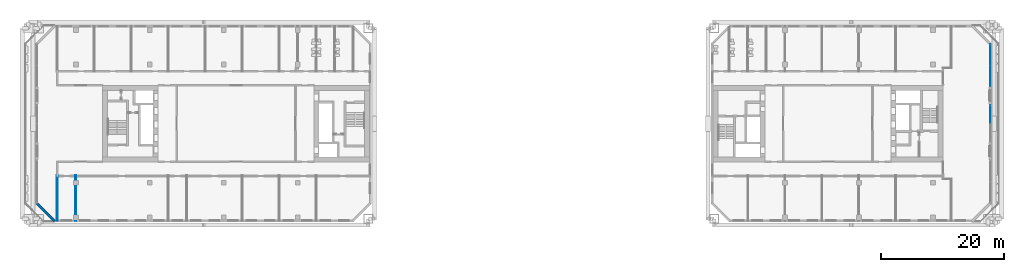
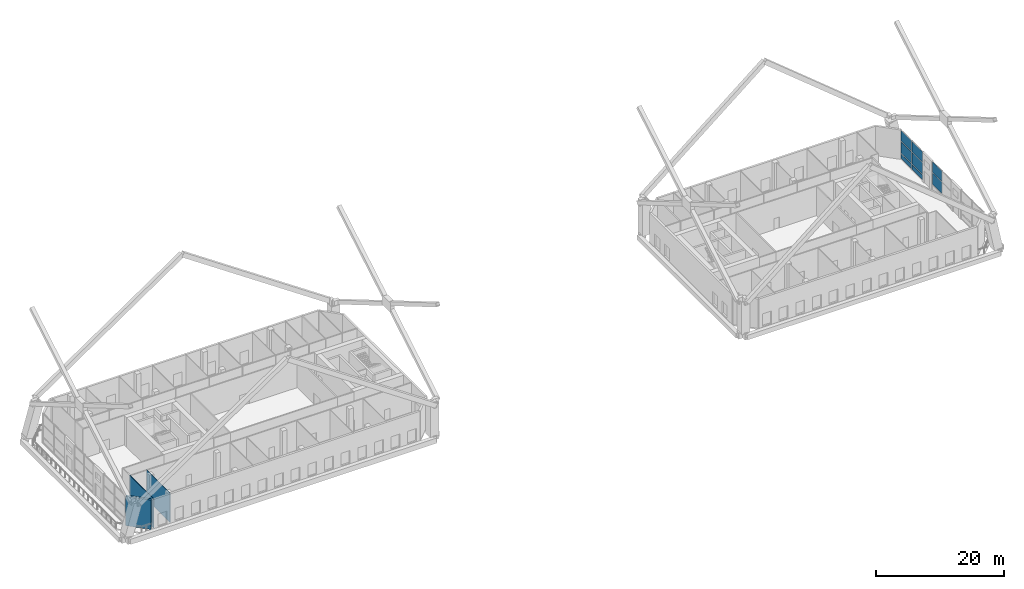
# One storey, part 8 of 20: 8 plates, 3 walls, 2 elements without a shape of their own.
"""IFC4 building model written with IfcOpenShell, lengths in metres."""

from ifc_helpers import new_model, si_unit, direction, frame, frame_2d, origin, origin_2d, place, context, subcontext, project, spatial, rectangle, extrude, material, layer, layer_set, type_object, element, aggregate, save


model = new_model("IFC4")

# Units and contexts
model_context = context("Model", 3, precision=1e-05, world=origin(), true_north=direction((0.0, 1.0)))
body_context = subcontext(model_context, "Body", "Model", "MODEL_VIEW")
ifc_project = project(units=[si_unit("LENGTHUNIT", "METRE"), si_unit("AREAUNIT", "SQUARE_METRE"), si_unit("VOLUMEUNIT", "CUBIC_METRE"), si_unit("PLANEANGLEUNIT", "RADIAN"), si_unit("MASSUNIT", "GRAM", prefix="KILO")], contexts=[model_context])

# Site, building, storey
site_placement = place(None, origin())
site = spatial("IfcSite", under=ifc_project, at=site_placement, CompositionType="ELEMENT")
building_placement = place(site_placement, origin())
building = spatial("IfcBuilding", under=site, at=building_placement, Name="Tuart Gate Housing", CompositionType="ELEMENT")
storey_placement = place(building_placement, frame((0.0, 0.0, 38.10009765625)))
storey = spatial("IfcBuildingStorey", under=building, at=storey_placement, Name="L10", CompositionType="ELEMENT", Elevation=38.10009765625)

# Curtain wall, plates
ifc_material_1 = material(Name="Aluminium and clear glass", Category="aluminium")
curtain_wall_type = type_object("IfcCurtainWallType", Name="Sky garden front glazing", PredefinedType="USERDEFINED", material=ifc_material_1)
curtain_wall_1_placement = place(storey_placement, origin())
curtain_wall_1 = element("IfcCurtainWall", 1, at=curtain_wall_1_placement, inside=storey, type_object=curtain_wall_type, Name="Sky garden front glazing B-E L10", ObjectType="SKY GARDEN FRONT GLAZING", PredefinedType="USERDEFINED")
ifc_material_2 = material(Name="Clear glass", Category="glass")
ifc_layer_1 = layer(ifc_material_2, 0.028076171875)
ifc_layer_set_1 = layer_set([ifc_layer_1], Name="Glazed panel 28")
plate_type = type_object("IfcPlateType", Name="Glazed panel 28", PredefinedType="CURTAIN_PANEL", material=ifc_layer_set_1)
plate_1_placement = place(storey_placement, frame((176.320068359375, 71.485107421875, 1.16015625), z_axis=(0.0, 0.0, 1.0), x_axis=(0.0, 1.0, 0.0)))
plate_1 = element("IfcPlate", 2, at=plate_1_placement, type_object=plate_type, Name="CW4 panel 2.2", PredefinedType="CURTAIN_PANEL", context=body_context, shape_type="SweptSolid", body=[
    extrude(rectangle(XDim=2.909912109375, YDim=0.028076171875, at=origin_2d()), origin(), (0.0, 0.0, 1.0), 2.179931640625),
])
plate_2_placement = place(storey_placement, frame((176.320068359375, 71.485107421875, 3.4599609375), z_axis=(0.0, 0.0, 1.0), x_axis=(0.0, 1.0, 0.0)))
plate_2 = element("IfcPlate", 3, at=plate_2_placement, type_object=plate_type, Name="CW4 panel 2.3", PredefinedType="CURTAIN_PANEL", context=body_context, shape_type="SweptSolid", body=[
    extrude(rectangle(XDim=2.909912109375, YDim=0.028076171875, at=origin_2d()), origin(), (0.0, 0.0, 1.0), 2.02001953125),
])
aggregate(curtain_wall_1, [plate_1, plate_2])

curtain_wall_2_placement = place(storey_placement, origin())
curtain_wall_2 = element("IfcCurtainWall", 4, at=curtain_wall_2_placement, inside=storey, type_object=curtain_wall_type, Name="Sky garden front glazing B-E L10", ObjectType="SKY GARDEN FRONT GLAZING", PredefinedType="USERDEFINED")
plate_3_placement = place(storey_placement, frame((176.320068359375, 77.746337890625, 0.119873046875), z_axis=(0.0, 0.0, 1.0), x_axis=(0.0, 1.0, 0.0)))
plate_3 = element("IfcPlate", 5, at=plate_3_placement, type_object=plate_type, Name="CW4 panel 1.1", PredefinedType="CURTAIN_PANEL", context=body_context, shape_type="SweptSolid", body=[
    extrude(rectangle(XDim=3.372802734375, YDim=0.028076171875, at=origin_2d()), origin(), (0.0, 0.0, 1.0), 0.919921875),
])
plate_4_placement = place(storey_placement, frame((176.320068359375, 77.746337890625, 1.16015625), z_axis=(0.0, 0.0, 1.0), x_axis=(0.0, 1.0, 0.0)))
plate_4 = element("IfcPlate", 6, at=plate_4_placement, type_object=plate_type, Name="CW4 panel 1.2", PredefinedType="CURTAIN_PANEL", context=body_context, shape_type="SweptSolid", body=[
    extrude(rectangle(XDim=3.372802734375, YDim=0.028076171875, at=origin_2d()), origin(), (0.0, 0.0, 1.0), 2.179931640625),
])
plate_5_placement = place(storey_placement, frame((176.320068359375, 77.746337890625, 3.4599609375), z_axis=(0.0, 0.0, 1.0), x_axis=(0.0, 1.0, 0.0)))
plate_5 = element("IfcPlate", 7, at=plate_5_placement, type_object=plate_type, Name="CW4 panel 1.3", PredefinedType="CURTAIN_PANEL", context=body_context, shape_type="SweptSolid", body=[
    extrude(rectangle(XDim=3.372802734375, YDim=0.028076171875, at=origin_2d()), origin(), (0.0, 0.0, 1.0), 2.02001953125),
])
plate_6_placement = place(storey_placement, frame((176.320068359375, 81.17919921875, 0.119873046875), z_axis=(0.0, 0.0, 1.0), x_axis=(0.0, 1.0, 0.0)))
plate_6 = element("IfcPlate", 8, at=plate_6_placement, type_object=plate_type, Name="CW4 panel 2.1", PredefinedType="CURTAIN_PANEL", context=body_context, shape_type="SweptSolid", body=[
    extrude(rectangle(XDim=3.372802734375, YDim=0.028076171875, at=origin_2d()), origin(), (0.0, 0.0, 1.0), 0.919921875),
])
plate_7_placement = place(storey_placement, frame((176.320068359375, 81.17919921875, 1.16015625), z_axis=(0.0, 0.0, 1.0), x_axis=(0.0, 1.0, 0.0)))
plate_7 = element("IfcPlate", 9, at=plate_7_placement, type_object=plate_type, Name="CW4 panel 2.2", PredefinedType="CURTAIN_PANEL", context=body_context, shape_type="SweptSolid", body=[
    extrude(rectangle(XDim=3.372802734375, YDim=0.028076171875, at=origin_2d()), origin(), (0.0, 0.0, 1.0), 2.179931640625),
])
plate_8_placement = place(storey_placement, frame((176.320068359375, 81.17919921875, 3.4599609375), z_axis=(0.0, 0.0, 1.0), x_axis=(0.0, 1.0, 0.0)))
plate_8 = element("IfcPlate", 10, at=plate_8_placement, type_object=plate_type, Name="CW4 panel 2.3", PredefinedType="CURTAIN_PANEL", context=body_context, shape_type="SweptSolid", body=[
    extrude(rectangle(XDim=3.372802734375, YDim=0.028076171875, at=origin_2d()), origin(), (0.0, 0.0, 1.0), 2.02001953125),
])
aggregate(curtain_wall_2, [plate_3, plate_4, plate_5, plate_6, plate_7, plate_8])

# Walls
ifc_material_3 = material(Name="Brick", Category="masonry")
ifc_layer_2 = layer(ifc_material_3, 0.360107421875)
ifc_layer_set_2 = layer_set([ifc_layer_2], Name="Brick pier and spandrel wall 360")
wall_type_1 = type_object("IfcWallType", Name="Brick pier and spandrel wall 360", PredefinedType="STANDARD", material=ifc_layer_set_2)
wall_placement = place(storey_placement, frame((21.679931640625, 57.07470703125, 0.0), z_axis=(0.0, 0.0, 1.0), x_axis=(0.707106781187, -0.707106781187, 0.0)))
element("IfcWall", 11, at=wall_placement, inside=storey, type_object=wall_type_1, Name="External wall A-SW L10", PredefinedType="STANDARD", context=body_context, shape_type="SweptSolid", body=[
    extrude(rectangle(XDim=4.09375, YDim=0.360107421875, at=frame_2d((2.046875, 0.0))), origin(), (0.0, 0.0, 1.0), 5.599853515625),
])
ifc_material_4 = material(Name="Gypsum board on steel studs", Category="steel")
ifc_layer_3 = layer(ifc_material_4, 0.10009765625)
ifc_layer_set_3 = layer_set([ifc_layer_3], Name="Partition 100")
wall_type_2 = type_object("IfcWallType", Name="Partition 100", PredefinedType="PARTITIONING", material=ifc_layer_set_3)
for number, where, z_axis, x_axis, name in (
    (12, (25.0, 54.239990234375, 0.0), (0.0, 0.0, 1.0), (0.0, 1.0, 0.0), "Partition 100"),
    (13, (28.0, 54.239990234375, 0.0), (0.0, 0.0, 1.0), (0.0, 1.0, 0.0), "Partition 100"),
):
    element("IfcWall", number, at=place(storey_placement, frame(where, z_axis=z_axis, x_axis=x_axis)), inside=storey, type_object=wall_type_2, Name=name, PredefinedType="PARTITIONING", context=body_context, shape_type="SweptSolid", body=[
        extrude(rectangle(XDim=7.360107421875, YDim=0.10009765625, at=frame_2d((3.68017578125, 0.0))), origin(), (0.0, 0.0, 1.0), 5.599853515625),
    ])

save(model, "model.ifc")
